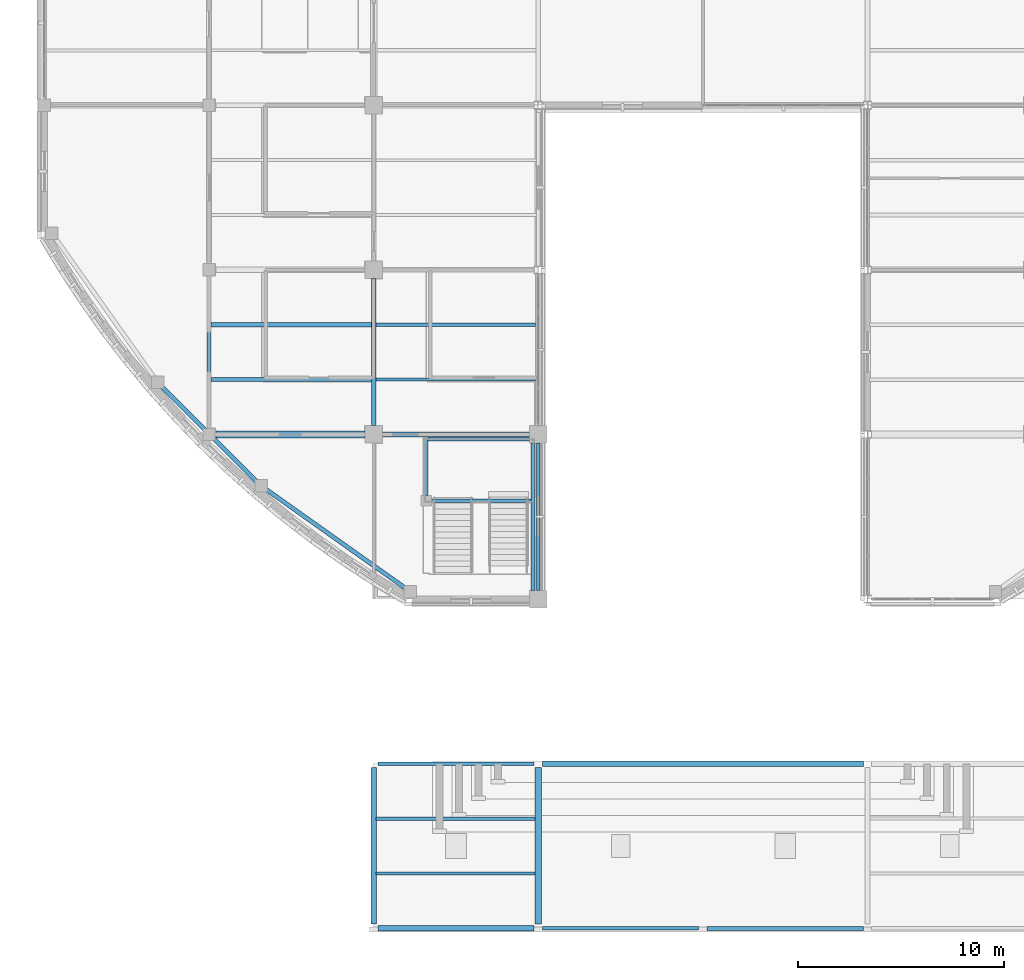
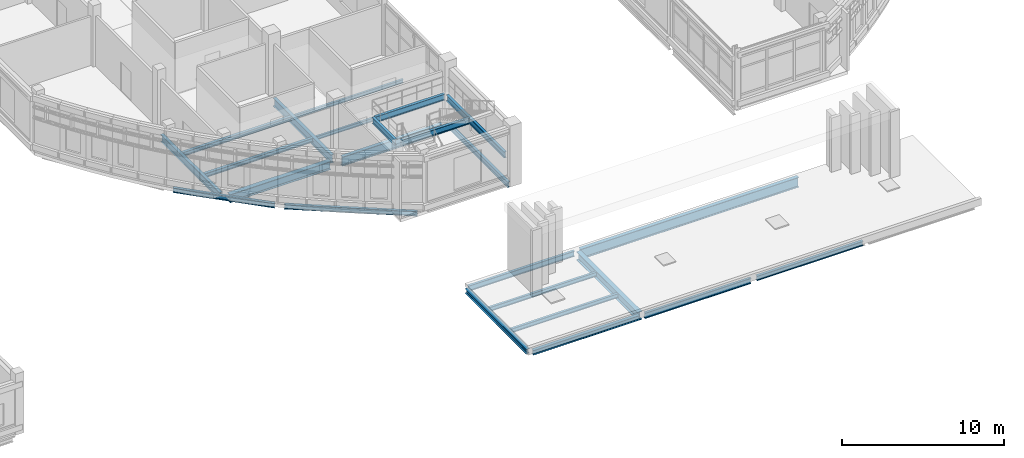
# One storey, part 22 of 121: 24 beams.
"""IFC4 building model written with IfcOpenShell, lengths in metres."""

from ifc_helpers import new_model, si_unit, derived_unit, direction, frame, origin, origin_2d, place, context, subcontext, project, spatial, i_section, extrude, material, material_profile, profile_set, type_object, element, save


model = new_model("IFC4")

# Units and contexts
model_context = context("Model", 3, precision=1e-05, world=origin(), true_north=direction((0.0, 1.0)))
body_context = subcontext(model_context, "Body", "Model", "MODEL_VIEW")
ifc_project = project(units=[si_unit("LENGTHUNIT", "METRE"), si_unit("AREAUNIT", "SQUARE_METRE"), si_unit("VOLUMEUNIT", "CUBIC_METRE"), si_unit("PLANEANGLEUNIT", "RADIAN"), si_unit("MASSUNIT", "GRAM", prefix="KILO"), derived_unit("THERMALTRANSMITTANCEUNIT", [(si_unit("MASSUNIT", "GRAM", prefix="KILO"), 1), (si_unit("TIMEUNIT", "SECOND"), -3), (si_unit("THERMODYNAMICTEMPERATUREUNIT", "KELVIN"), -1)])], contexts=[model_context])

# Site, building, storey
site_placement = place(None, origin())
site = spatial("IfcSite", under=ifc_project, at=site_placement, CompositionType="ELEMENT")
building_placement = place(site_placement, origin())
building = spatial("IfcBuilding", under=site, at=building_placement, Name="Veyamyaing Civic Hall", CompositionType="ELEMENT")
storey_placement = place(building_placement, frame((0.0, 0.0, 5.280029296875)))
storey = spatial("IfcBuildingStorey", under=building, at=storey_placement, Name="L01", CompositionType="ELEMENT", Elevation=5.280029296875)

# Beams
ifc_material = material(Name="Steel ASTM A992", Category="steel")
ifc_material_profile_1 = material_profile(ifc_material, i_section(OverallWidth=0.256103515625, OverallDepth=0.693115234375, WebThickness=0.014404296875, FlangeThickness=0.023681640625, FilletRadius=0.013916015625, at=origin_2d()), Name="W690X170")
ifc_profile_set_1 = profile_set([ifc_material_profile_1], Name="Steel ASTM A992")
beam_type_1 = type_object("IfcBeamType", Name="B-04", PredefinedType="BEAM", material=ifc_profile_set_1)
beam_1_placement = place(storey_placement, frame((72.425048828125, 24.0, -0.591552734375), z_axis=(1.0, 0.0, 0.0), x_axis=(0.0, 1.0, 0.0)))
element("IfcBeam", 1, at=beam_1_placement, inside=storey, type_object=beam_type_1, Name="Girder B-04 L01 Grid D 10-11", PredefinedType="BEAM", context=body_context, shape_type="SweptSolid", body=[
    extrude(i_section(OverallWidth=0.256103515625, OverallDepth=0.693115234375, WebThickness=0.014404296875, FlangeThickness=0.023681640625, FilletRadius=0.013916015625, at=origin_2d()), origin(), (0.0, 0.0, 1.0), 7.14990234375),
])
ifc_material_profile_2 = material_profile(ifc_material, i_section(OverallWidth=0.22998046875, OverallDepth=0.616943359375, WebThickness=0.01318359375, FlangeThickness=0.022216796875, FilletRadius=0.012939453125, at=origin_2d()), Name="W610X140")
ifc_profile_set_2 = profile_set([ifc_material_profile_2], Name="Steel ASTM A992")
beam_type_2 = type_object("IfcBeamType", Name="B-05", PredefinedType="BEAM", material=ifc_profile_set_2)
beam_2_placement = place(storey_placement, frame((72.0, 24.425048828125, -0.553466796875), z_axis=(0.0, 1.0, 0.0), x_axis=(-1.0, 0.0, 0.0)))
element("IfcBeam", 2, at=beam_2_placement, inside=storey, type_object=beam_type_2, Name="Girder B-05 L01 Grid 10 D-E", PredefinedType="BEAM", context=body_context, shape_type="SweptSolid", body=[
    extrude(i_section(OverallWidth=0.22998046875, OverallDepth=0.616943359375, WebThickness=0.01318359375, FlangeThickness=0.022216796875, FilletRadius=0.012939453125, at=origin_2d()), origin(), (0.0, 0.0, 1.0), 7.14990234375),
])
ifc_material_profile_3 = material_profile(ifc_material, i_section(OverallWidth=0.18994140625, OverallDepth=0.45703125, WebThickness=0.009033203125, FlangeThickness=0.014404296875, FilletRadius=0.010009765625, at=origin_2d()), Name="W460X74")
ifc_profile_set_3 = profile_set([ifc_material_profile_3], Name="Steel ASTM A992")
beam_type_3 = type_object("IfcBeamType", Name="B-09", PredefinedType="BEAM", material=ifc_profile_set_3)
beam_3_placement = place(storey_placement, frame((79.739990234375, 16.419921875, 1.886474609375), z_axis=(0.0, 1.0, 0.0), x_axis=(-1.0, 0.0, 0.0)))
element("IfcBeam", 3, at=beam_3_placement, inside=storey, type_object=beam_type_3, Name="Monumental stair landing girder B-09 ST08.E", PredefinedType="BEAM", context=body_context, shape_type="SweptSolid", body=[
    extrude(i_section(OverallWidth=0.18994140625, OverallDepth=0.45703125, WebThickness=0.009033203125, FlangeThickness=0.014404296875, FilletRadius=0.010009765625, at=origin_2d()), origin(), (0.0, 0.0, 1.0), 7.16015625),
])
beam_4_placement = place(storey_placement, frame((74.798095703125, 20.780029296875, 1.886474609375), z_axis=(1.0, 0.0, 0.0), x_axis=(0.0, 1.0, 0.0)))
element("IfcBeam", 4, at=beam_4_placement, inside=storey, type_object=beam_type_3, Name="Monumental stair landing girder B-09 ST08.S", PredefinedType="BEAM", context=body_context, shape_type="SweptSolid", body=[
    extrude(i_section(OverallWidth=0.18994140625, OverallDepth=0.45703125, WebThickness=0.009033203125, FlangeThickness=0.014404296875, FilletRadius=0.010009765625, at=origin_2d()), origin(), (0.0, 0.0, 1.0), 4.848876953125),
])
beam_5_placement = place(storey_placement, frame((74.550048828125, 21.028076171875, 1.886474609375), z_axis=(0.0, 1.0, 0.0), x_axis=(-1.0, 0.0, 0.0)))
element("IfcBeam", 5, at=beam_5_placement, inside=storey, type_object=beam_type_3, Name="Monumental stair landing girder B-09 ST08.W", PredefinedType="BEAM", context=body_context, shape_type="SweptSolid", body=[
    extrude(i_section(OverallWidth=0.18994140625, OverallDepth=0.45703125, WebThickness=0.009033203125, FlangeThickness=0.014404296875, FilletRadius=0.010009765625, at=origin_2d()), origin(), (0.0, 0.0, 1.0), 2.751953125),
])
beam_6_placement = place(storey_placement, frame((74.64306640625, 23.780029296875, 1.886474609375), z_axis=(1.0, 0.0, 0.0), x_axis=(0.0, 1.0, 0.0)))
element("IfcBeam", 6, at=beam_6_placement, inside=storey, type_object=beam_type_3, Name="Monumental stair landing girder B-09 ST08.N", PredefinedType="BEAM", context=body_context, shape_type="SweptSolid", body=[
    extrude(i_section(OverallWidth=0.18994140625, OverallDepth=0.45703125, WebThickness=0.009033203125, FlangeThickness=0.014404296875, FilletRadius=0.010009765625, at=origin_2d()), origin(), (0.0, 0.0, 1.0), 5.0068359375),
])
ifc_material_profile_4 = material_profile(ifc_material, i_section(OverallWidth=0.179931640625, OverallDepth=0.4130859375, WebThickness=0.009765625, FlangeThickness=0.01611328125, FilletRadius=0.010009765625, at=origin_2d()), Name="W410X74")
ifc_profile_set_4 = profile_set([ifc_material_profile_4], Name="Steel ASTM A992")
beam_type_4 = type_object("IfcBeamType", Name="B-10", PredefinedType="SPANDREL", material=ifc_profile_set_4)
beam_7_placement = place(storey_placement, frame((80.203125, 0.0, -0.446533203125), z_axis=(1.0, 0.0, 0.0), x_axis=(0.0, 1.0, 0.0)))
element("IfcBeam", 7, at=beam_7_placement, inside=storey, type_object=beam_type_4, Name="Girder B-10 L01 Grid A 11-12", PredefinedType="SPANDREL", context=body_context, shape_type="SweptSolid", body=[
    extrude(i_section(OverallWidth=0.179931640625, OverallDepth=0.4130859375, WebThickness=0.009765625, FlangeThickness=0.01611328125, FilletRadius=0.010009765625, at=origin_2d()), origin(), (0.0, 0.0, 1.0), 7.59375),
])
beam_8_placement = place(storey_placement, frame((72.198974609375, 8.0, -0.446533203125), z_axis=(1.0, 0.0, 0.0), x_axis=(0.0, 1.0, 0.0)))
element("IfcBeam", 8, at=beam_8_placement, inside=storey, type_object=beam_type_4, Name="Girder B-10 L01 Grid B 10-11", PredefinedType="SPANDREL", context=body_context, shape_type="SweptSolid", body=[
    extrude(i_section(OverallWidth=0.179931640625, OverallDepth=0.4130859375, WebThickness=0.009765625, FlangeThickness=0.01611328125, FilletRadius=0.010009765625, at=origin_2d()), origin(), (0.0, 0.0, 1.0), 7.60205078125),
])
ifc_material_profile_5 = material_profile(ifc_material, i_section(OverallWidth=0.2041015625, OverallDepth=0.35009765625, WebThickness=0.0078125, FlangeThickness=0.01513671875, FilletRadius=0.010009765625, at=origin_2d()), Name="W360X72")
ifc_profile_set_5 = profile_set([ifc_material_profile_5], Name="Steel ASTM A992")
beam_type_5 = type_object("IfcBeamType", Name="B-11", PredefinedType="SPANDREL", material=ifc_profile_set_5)
beam_9_placement = place(storey_placement, frame((88.203125, 0.0, -0.4150390625), z_axis=(1.0, 0.0, 0.0), x_axis=(0.0, 1.0, 0.0)))
element("IfcBeam", 9, at=beam_9_placement, inside=storey, type_object=beam_type_5, Name="Girder B-11 L01 Grid A 12-13", PredefinedType="SPANDREL", context=body_context, shape_type="SweptSolid", body=[
    extrude(i_section(OverallWidth=0.2041015625, OverallDepth=0.35009765625, WebThickness=0.0078125, FlangeThickness=0.01513671875, FilletRadius=0.010009765625, at=origin_2d()), origin(), (0.0, 0.0, 1.0), 7.59375),
])
beam_10_placement = place(storey_placement, frame((61.717041015625, 26.3212890625, -0.419921875), z_axis=(0.707106781187, -0.707106781187, 0.0), x_axis=(0.707106781187, 0.707106781187, 0.0)))
element("IfcBeam", 10, at=beam_10_placement, inside=storey, type_object=beam_type_5, Name="Curved corner spandrel B-11 L01 SW.2", PredefinedType="SPANDREL", context=body_context, shape_type="SweptSolid", body=[
    extrude(i_section(OverallWidth=0.2041015625, OverallDepth=0.35009765625, WebThickness=0.0078125, FlangeThickness=0.01513671875, FilletRadius=0.010009765625, at=origin_2d()), origin(), (0.0, 0.0, 1.0), 6.511474609375),
])
beam_11_placement = place(storey_placement, frame((66.778076171875, 21.331298828125, -0.419921875), z_axis=(0.815567262109, -0.578662285773, 0.0), x_axis=(0.578662285773, 0.815567262109, 0.0)))
element("IfcBeam", 11, at=beam_11_placement, inside=storey, type_object=beam_type_5, Name="Curved corner spandrel B-11 L01 SW.3", PredefinedType="SPANDREL", context=body_context, shape_type="SweptSolid", body=[
    extrude(i_section(OverallWidth=0.2041015625, OverallDepth=0.35009765625, WebThickness=0.0078125, FlangeThickness=0.01513671875, FilletRadius=0.010009765625, at=origin_2d()), origin(), (0.0, 0.0, 1.0), 8.284423828125),
])
ifc_material_profile_6 = material_profile(ifc_material, i_section(OverallWidth=0.26611328125, OverallDepth=0.758056640625, WebThickness=0.013916015625, FlangeThickness=0.019287109375, FilletRadius=0.01611328125, at=origin_2d()), Name="W760X161")
ifc_profile_set_6 = profile_set([ifc_material_profile_6], Name="Steel ASTM A992")
beam_type_6 = type_object("IfcBeamType", Name="B-13", PredefinedType="BEAM", material=ifc_profile_set_6)
beam_12_placement = place(storey_placement, frame((80.198974609375, 8.0, -0.619140625), z_axis=(1.0, 0.0, 0.0), x_axis=(0.0, 1.0, 0.0)))
element("IfcBeam", 12, at=beam_12_placement, inside=storey, type_object=beam_type_6, Name="Girder B-13 L01 Grid B 11-13", PredefinedType="BEAM", context=body_context, shape_type="SweptSolid", body=[
    extrude(i_section(OverallWidth=0.26611328125, OverallDepth=0.758056640625, WebThickness=0.013916015625, FlangeThickness=0.019287109375, FilletRadius=0.01611328125, at=origin_2d()), origin(), (0.0, 0.0, 1.0), 15.60205078125),
])
ifc_material_profile_7 = material_profile(ifc_material, i_section(OverallWidth=0.324951171875, OverallDepth=0.615966796875, WebThickness=0.013916015625, FlangeThickness=0.021484375, FilletRadius=0.013916015625, at=origin_2d()), Name="W610X174")
ifc_profile_set_7 = profile_set([ifc_material_profile_7], Name="Steel ASTM A992")
beam_type_7 = type_object("IfcBeamType", Name="B-15", PredefinedType="BEAM", material=ifc_profile_set_7)
beam_13_placement = place(storey_placement, frame((64.35009765625, 24.0, -0.552978515625), z_axis=(1.0, 0.0, 0.0), x_axis=(0.0, 1.0, 0.0)))
element("IfcBeam", 13, at=beam_13_placement, inside=storey, type_object=beam_type_7, Name="Girder B-15 L01 Grid D 9-10", PredefinedType="BEAM", context=body_context, shape_type="SweptSolid", body=[
    extrude(i_section(OverallWidth=0.324951171875, OverallDepth=0.615966796875, WebThickness=0.013916015625, FlangeThickness=0.021484375, FilletRadius=0.013916015625, at=origin_2d()), origin(), (0.0, 0.0, 1.0), 7.224853515625),
])
beam_14_placement = place(storey_placement, frame((80.0, 0.203125, -0.548095703125), z_axis=(0.0, 1.0, 0.0), x_axis=(-1.0, 0.0, 0.0)))
element("IfcBeam", 14, at=beam_14_placement, inside=storey, type_object=beam_type_7, Name="Girder B-15 L01 Grid 11 A-B", PredefinedType="BEAM", context=body_context, shape_type="SweptSolid", body=[
    extrude(i_section(OverallWidth=0.324951171875, OverallDepth=0.615966796875, WebThickness=0.013916015625, FlangeThickness=0.021484375, FilletRadius=0.013916015625, at=origin_2d()), origin(), (0.0, 0.0, 1.0), 7.603271484375),
])
ifc_material_profile_8 = material_profile(ifc_material, i_section(OverallWidth=0.214111328125, OverallDepth=0.549072265625, WebThickness=0.0146484375, FlangeThickness=0.023681640625, FilletRadius=0.011962890625, at=origin_2d()), Name="W530X138")
ifc_profile_set_8 = profile_set([ifc_material_profile_8], Name="Steel ASTM A992")
beam_type_8 = type_object("IfcBeamType", Name="B-16", PredefinedType="BEAM", material=ifc_profile_set_8)
beam_15_placement = place(storey_placement, frame((64.0, 24.35009765625, -0.51953125), z_axis=(0.0, 1.0, 0.0), x_axis=(-1.0, 0.0, 0.0)))
element("IfcBeam", 15, at=beam_15_placement, inside=storey, type_object=beam_type_8, Name="Girder B-16 L01 Grid 9 D-E", PredefinedType="BEAM", context=body_context, shape_type="SweptSolid", body=[
    extrude(i_section(OverallWidth=0.214111328125, OverallDepth=0.549072265625, WebThickness=0.0146484375, FlangeThickness=0.023681640625, FilletRadius=0.011962890625, at=origin_2d()), origin(), (0.0, 0.0, 1.0), 7.2998046875),
])
ifc_material_profile_9 = material_profile(ifc_material, i_section(OverallWidth=0.180908203125, OverallDepth=0.4169921875, WebThickness=0.010986328125, FlangeThickness=0.018310546875, FilletRadius=0.010009765625, at=origin_2d()), Name="W410X85")
ifc_profile_set_9 = profile_set([ifc_material_profile_9], Name="Steel ASTM A992")
beam_type_9 = type_object("IfcBeamType", Name="B-19", PredefinedType="SPANDREL", material=ifc_profile_set_9)
beam_16_placement = place(storey_placement, frame((80.0, 16.425048828125, -0.45361328125), z_axis=(0.0, 1.0, 0.0), x_axis=(-1.0, 0.0, 0.0)))
element("IfcBeam", 16, at=beam_16_placement, inside=storey, type_object=beam_type_9, Name="Girder B-19 L01 Grid 11 C-D", PredefinedType="SPANDREL", context=body_context, shape_type="SweptSolid", body=[
    extrude(i_section(OverallWidth=0.180908203125, OverallDepth=0.4169921875, WebThickness=0.010986328125, FlangeThickness=0.018310546875, FilletRadius=0.010009765625, at=origin_2d()), origin(), (0.0, 0.0, 1.0), 7.14990234375),
])
ifc_material_profile_10 = material_profile(ifc_material, i_section(OverallWidth=0.25390625, OverallDepth=0.35302734375, WebThickness=0.009521484375, FlangeThickness=0.016357421875, FilletRadius=0.011962890625, at=origin_2d()), Name="W360X91")
ifc_profile_set_10 = profile_set([ifc_material_profile_10], Name="Steel ASTM A992")
beam_type_10 = type_object("IfcBeamType", Name="B-20", PredefinedType="SPANDREL", material=ifc_profile_set_10)
beam_17_placement = place(storey_placement, frame((72.203125, 0.0, -0.41650390625), z_axis=(1.0, 0.0, 0.0), x_axis=(0.0, 1.0, 0.0)))
element("IfcBeam", 17, at=beam_17_placement, inside=storey, type_object=beam_type_10, Name="Girder B-20 L01 Grid A 10-11", PredefinedType="SPANDREL", context=body_context, shape_type="SweptSolid", body=[
    extrude(i_section(OverallWidth=0.25390625, OverallDepth=0.35302734375, WebThickness=0.009521484375, FlangeThickness=0.016357421875, FilletRadius=0.011962890625, at=origin_2d()), origin(), (0.0, 0.0, 1.0), 7.59375),
])
beam_18_placement = place(storey_placement, frame((72.0, 0.203125, -0.41650390625), z_axis=(0.0, 1.0, 0.0), x_axis=(-1.0, 0.0, 0.0)))
element("IfcBeam", 18, at=beam_18_placement, inside=storey, type_object=beam_type_10, Name="Girder B-20 L01 Grid 10 A-B", PredefinedType="SPANDREL", context=body_context, shape_type="SweptSolid", body=[
    extrude(i_section(OverallWidth=0.25390625, OverallDepth=0.35302734375, WebThickness=0.009521484375, FlangeThickness=0.016357421875, FilletRadius=0.011962890625, at=origin_2d()), origin(), (0.0, 0.0, 1.0), 7.603271484375),
])
ifc_material_profile_11 = material_profile(ifc_material, i_section(OverallWidth=0.1669921875, OverallDepth=0.318115234375, WebThickness=0.007568359375, FlangeThickness=0.01318359375, FilletRadius=0.010009765625, at=origin_2d()), Name="W310X52")
ifc_profile_set_11 = profile_set([ifc_material_profile_11], Name="Steel ASTM A992")
beam_type_11 = type_object("IfcBeamType", Name="J-04", PredefinedType="JOIST", material=ifc_profile_set_11)
for number, where, z_axis, x_axis, name in (
    (19, (72.125, 2.666748046875, -0.39892578125), (1.0, 0.0, 0.0), (0.0, 1.0, 0.0), "Composite floor joist J-04 L01 10.1.1"),
    (20, (72.125, 5.333251953125, -0.39892578125), (1.0, 0.0, 0.0), (0.0, 1.0, 0.0), "Composite floor joist J-04 L01 10.1.2"),
):
    element("IfcBeam", number, at=place(storey_placement, frame(where, z_axis=z_axis, x_axis=x_axis)), inside=storey, type_object=beam_type_11, Name=name, PredefinedType="JOIST", context=body_context, shape_type="SweptSolid", body=[
        extrude(i_section(OverallWidth=0.1669921875, OverallDepth=0.318115234375, WebThickness=0.007568359375, FlangeThickness=0.01318359375, FilletRadius=0.010009765625, at=origin_2d()), origin(), (0.0, 0.0, 1.0), 7.714599609375),
    ])
ifc_material_profile_12 = material_profile(ifc_material, i_section(OverallWidth=0.2041015625, OverallDepth=0.305908203125, WebThickness=0.008544921875, FlangeThickness=0.0146484375, FilletRadius=0.010009765625, at=origin_2d()), Name="W310X67")
ifc_profile_set_12 = profile_set([ifc_material_profile_12], Name="Steel ASTM A992")
beam_type_12 = type_object("IfcBeamType", Name="J-06", PredefinedType="JOIST", material=ifc_profile_set_12)
for number, where, z_axis, x_axis, name in (
    (21, (64.10498046875, 26.666748046875, -0.39794921875), (1.0, 0.0, 0.0), (0.0, 1.0, 0.0), "Composite floor joist J-06 L01 9.4.1"),
    (22, (64.10498046875, 29.333251953125, -0.39794921875), (1.0, 0.0, 0.0), (0.0, 1.0, 0.0), "Composite floor joist J-06 L01 9.4.2"),
):
    element("IfcBeam", number, at=place(storey_placement, frame(where, z_axis=z_axis, x_axis=x_axis)), inside=storey, type_object=beam_type_12, Name=name, PredefinedType="JOIST", context=body_context, shape_type="SweptSolid", body=[
        extrude(i_section(OverallWidth=0.2041015625, OverallDepth=0.305908203125, WebThickness=0.008544921875, FlangeThickness=0.0146484375, FilletRadius=0.010009765625, at=origin_2d()), origin(), (0.0, 0.0, 1.0), 7.781982421875),
    ])
ifc_material_profile_13 = material_profile(ifc_material, i_section(OverallWidth=0.14794921875, OverallDepth=0.26611328125, WebThickness=0.007568359375, FlangeThickness=0.012939453125, FilletRadius=0.010009765625, at=origin_2d()), Name="W250X45")
ifc_profile_set_13 = profile_set([ifc_material_profile_13], Name="Steel ASTM A992")
beam_type_13 = type_object("IfcBeamType", Name="J-07", PredefinedType="JOIST", material=ifc_profile_set_13)
for number, where, z_axis, x_axis, name in (
    (23, (72.113037109375, 26.666748046875, -0.3779296875), (1.0, 0.0, 0.0), (0.0, 1.0, 0.0), "Composite floor joist J-07 L01 10.4.1"),
    (24, (72.113037109375, 29.333251953125, -0.3779296875), (1.0, 0.0, 0.0), (0.0, 1.0, 0.0), "Composite floor joist J-07 L01 10.4.2"),
):
    element("IfcBeam", number, at=place(storey_placement, frame(where, z_axis=z_axis, x_axis=x_axis)), inside=storey, type_object=beam_type_13, Name=name, PredefinedType="JOIST", context=body_context, shape_type="SweptSolid", body=[
        extrude(i_section(OverallWidth=0.14794921875, OverallDepth=0.26611328125, WebThickness=0.007568359375, FlangeThickness=0.012939453125, FilletRadius=0.010009765625, at=origin_2d()), origin(), (0.0, 0.0, 1.0), 7.761962890625),
    ])

save(model, "model.ifc")
